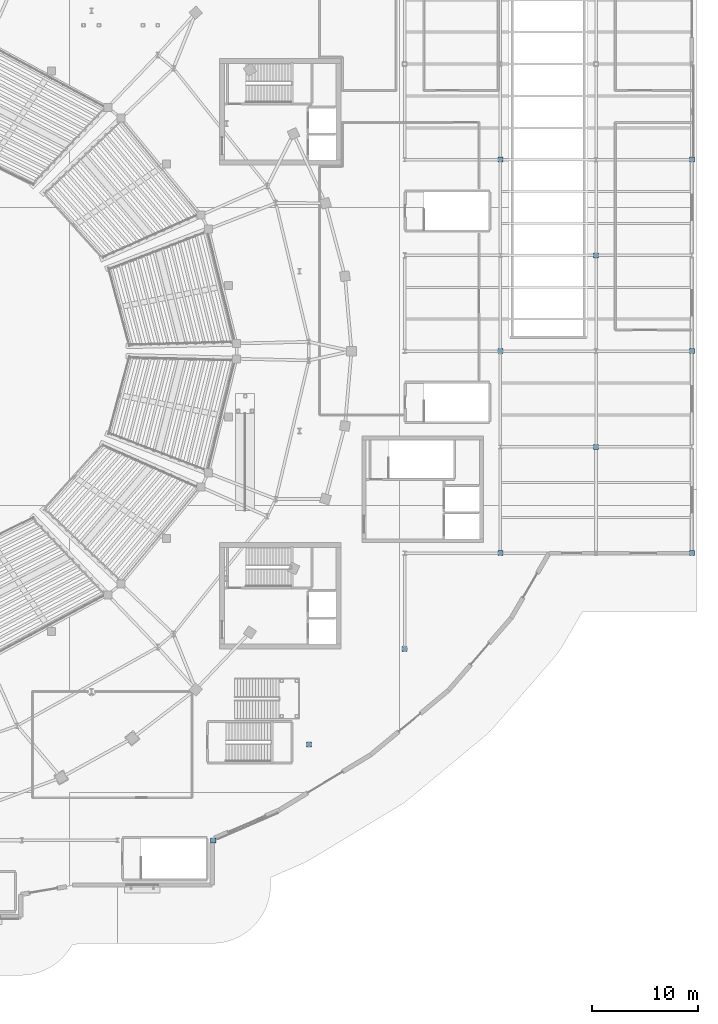
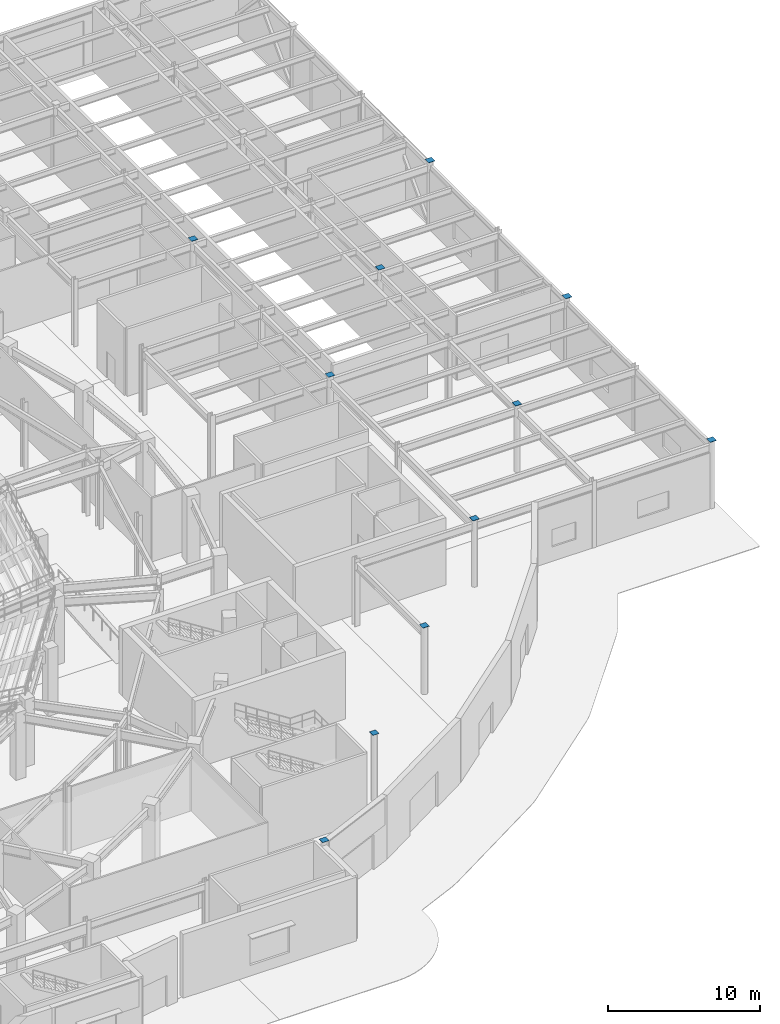
# One storey, part 67 of 79: 11 discrete accessories.
"""IFC4 building model written with IfcOpenShell, lengths in metres."""

from ifc_helpers import new_model, si_unit, direction, frame, origin, origin_2d, place, context, subcontext, project, spatial, rectangle, extrude, material, type_object, element, save


model = new_model("IFC4")

# Units and contexts
model_context = context("Model", 3, precision=1e-05, world=origin(), true_north=direction((0.0, 1.0)))
body_context = subcontext(model_context, "Body", "Model", "MODEL_VIEW")
ifc_project = project(units=[si_unit("LENGTHUNIT", "METRE"), si_unit("AREAUNIT", "SQUARE_METRE"), si_unit("VOLUMEUNIT", "CUBIC_METRE"), si_unit("PLANEANGLEUNIT", "RADIAN"), si_unit("MASSUNIT", "GRAM", prefix="KILO")], contexts=[model_context])

# Site, building, storey
site_placement = place(None, origin())
site = spatial("IfcSite", under=ifc_project, at=site_placement, CompositionType="ELEMENT")
building_placement = place(site_placement, origin())
building = spatial("IfcBuilding", under=site, at=building_placement, Name="Glasvene Arena", CompositionType="ELEMENT")
storey_placement = place(building_placement, origin())
storey = spatial("IfcBuildingStorey", under=building, at=storey_placement, Name="L00", CompositionType="ELEMENT", Elevation=0.0)

# Discrete accessories
ifc_material = material(Name="Steel S355J2", Category="steel")
discrete_accessory_type = type_object("IfcDiscreteAccessoryType", Name="ACC-CAP-CHS420", PredefinedType="USERDEFINED", material=ifc_material)
for number, where, z_axis, x_axis, name in (
    (1, (129.0, 27.0, 5.39794921875), (0.0, 0.0, 1.0), (1.0, 0.0, 0.0), "Hollow column top cap plate 15-4 L00"),
    (2, (138.0, 36.0, 5.39794921875), (0.0, 0.0, 1.0), (1.0, 0.0, 0.0), "Hollow column top cap plate 16-5 L00"),
    (3, (147.0, 45.0, 5.39794921875), (0.0, 0.0, 1.0), (1.0, 0.0, 0.0), "Hollow column top cap plate 17-6 L00"),
    (4, (156.0, 54.0, 5.39794921875), (0.0, 0.0, 1.0), (1.0, 0.0, 0.0), "Hollow column top cap plate 18-7 L00"),
    (5, (156.0, 73.0, 5.39794921875), (0.0, 0.0, 1.0), (1.0, 0.0, 0.0), "Hollow column top cap plate 18-9 L00"),
    (6, (156.0, 91.0, 5.39794921875), (0.0, 0.0, 1.0), (1.0, 0.0, 0.0), "Hollow column top cap plate 18-11 L00"),
    (7, (165.0, 64.0, 5.39794921875), (0.0, 0.0, 1.0), (1.0, 0.0, 0.0), "Hollow column top cap plate 19-8 L00"),
    (8, (165.0, 82.0, 5.39794921875), (0.0, 0.0, 1.0), (1.0, 0.0, 0.0), "Hollow column top cap plate 19-10 L00"),
    (9, (174.0, 54.0, 5.39794921875), (0.0, 0.0, 1.0), (1.0, 0.0, 0.0), "Hollow column top cap plate 20-7 L00"),
    (10, (174.0, 73.0, 5.39794921875), (0.0, 0.0, 1.0), (1.0, 0.0, 0.0), "Hollow column top cap plate 20-9 L00"),
    (11, (174.0, 91.0, 5.39794921875), (0.0, 0.0, 1.0), (1.0, 0.0, 0.0), "Hollow column top cap plate 20-11 L00"),
):
    element("IfcDiscreteAccessory", number, at=place(storey_placement, frame(where, z_axis=z_axis, x_axis=x_axis)), inside=storey, type_object=discrete_accessory_type, Name=name, ObjectType="CAP PLATE", PredefinedType="USERDEFINED", context=body_context, shape_type="SweptSolid", body=[
        extrude(rectangle(XDim=0.47998046875, YDim=0.47998046875, at=origin_2d()), origin(), (0.0, 0.0, 1.0), 0.02001953125),
    ])

save(model, "model.ifc")
